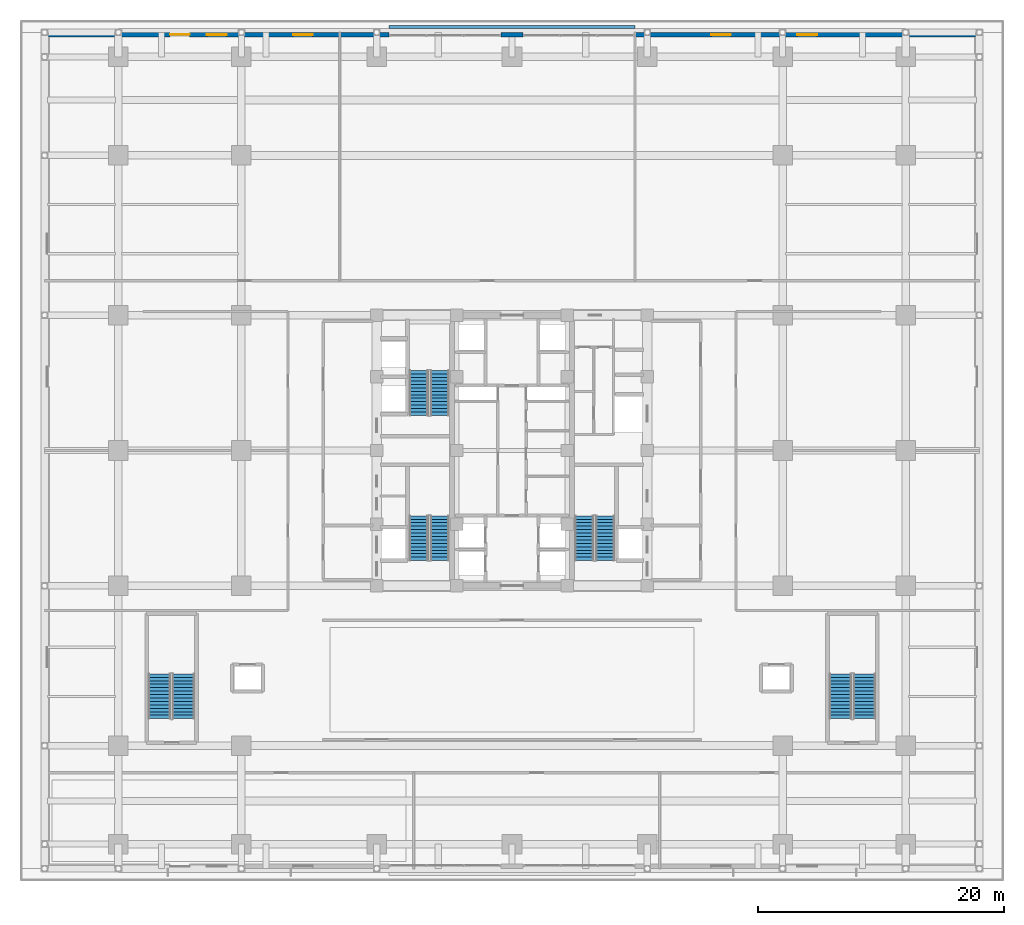
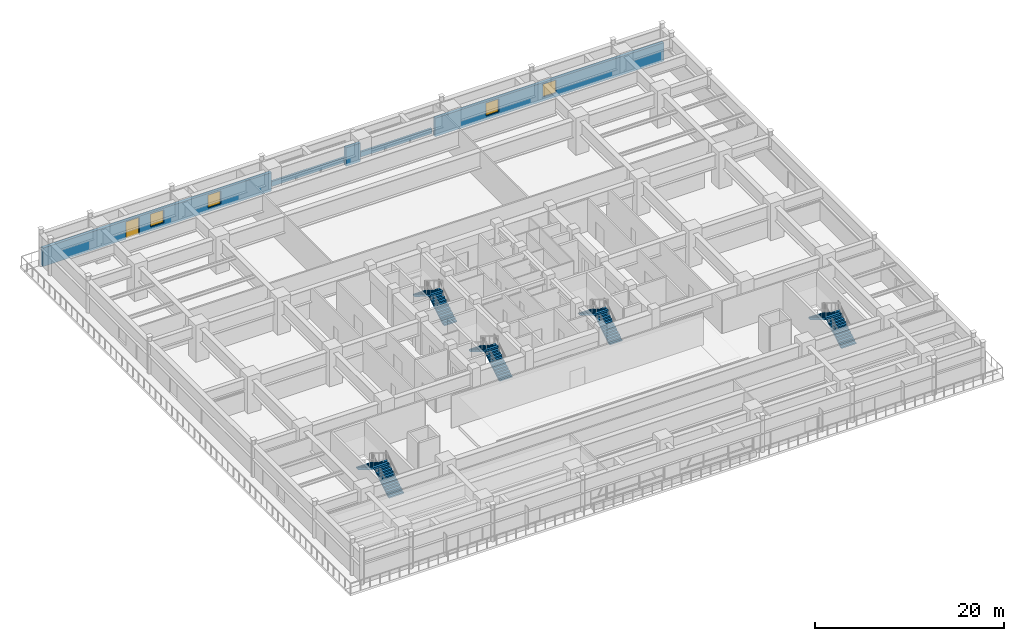
# One storey, part 28 of 35: 10 stair flights, 4 walls, 4 windows, 1 door, 5 openings, 5 elements without a shape of their own.
"""IFC4 building model written with IfcOpenShell, lengths in metres."""

from ifc_helpers import new_model, si_unit, direction, frame, frame_2d, origin, place, context, subcontext, project, spatial, polyline, rectangle, outline, extrude, source, transform, mapped, material, layer, layer_set, type_object, element, fill, aggregate, save


model = new_model("IFC4")

# Units and contexts
model_context = context("Model", 3, precision=1e-05, world=origin(), true_north=direction((0.0, 1.0)))
body_context = subcontext(model_context, "Body", "Model", "MODEL_VIEW")
ifc_project = project(units=[si_unit("LENGTHUNIT", "METRE"), si_unit("AREAUNIT", "SQUARE_METRE"), si_unit("VOLUMEUNIT", "CUBIC_METRE"), si_unit("PLANEANGLEUNIT", "RADIAN"), si_unit("MASSUNIT", "GRAM", prefix="KILO")], contexts=[model_context])

# Site, building, storey
site_placement = place(None, origin())
site = spatial("IfcSite", under=ifc_project, at=site_placement, CompositionType="ELEMENT")
building_placement = place(site_placement, origin())
building = spatial("IfcBuilding", under=site, at=building_placement, Name="Khorayat Bourse Tower", CompositionType="ELEMENT")
storey_placement = place(building_placement, frame((0.0, 0.0, 22.199951171875)))
storey = spatial("IfcBuildingStorey", under=building, at=storey_placement, Name="L04", CompositionType="ELEMENT", Elevation=22.199951171875)

# Wall
ifc_material_1 = material(Name="Precast concrete C45/55", Category="concrete")
ifc_layer_1 = layer(ifc_material_1, 0.239990234375)
ifc_layer_set_1 = layer_set([ifc_layer_1], Name="Precast concrete C45/55")
wall_type_1 = type_object("IfcWallType", Name="WAL-PLANTER-240", PredefinedType="STANDARD", material=ifc_layer_set_1)
shared_shape_1 = source(origin(), body_context, "Body", "SweptSolid", [
    extrude(rectangle(XDim=20.0, YDim=0.239990234375, at=frame_2d((10.0, 0.0))), origin(), (0.0, 0.0, 1.0), 0.650146484375),
])
wall_1_placement = place(storey_placement, frame((-10.0, 34.429931640625, 0.0), z_axis=(0.0, 0.0, 1.0), x_axis=(1.0, 0.0, 0.0)))
element("IfcWall", 1, at=wall_1_placement, inside=storey, type_object=wall_type_1, Name="L04 Planted Terrace Upstand PLN-N", PredefinedType="STANDARD", context=body_context, shape_type="MappedRepresentation", body=[
    mapped(shared_shape_1, transform((0.0, 0.0, 0.0), scale=1.0)),
])

# Wall, openings, door, windows
ifc_layer_2 = layer(ifc_material_1, 0.3798828125)
ifc_layer_set_2 = layer_set([ifc_layer_2], Name="Precast concrete C45/55")
wall_type_2 = type_object("IfcWallType", Name="WAL-EXT-STONE-380", PredefinedType="STANDARD", material=ifc_layer_set_2)
shared_shape_2 = source(origin(), body_context, "Body", "SweptSolid", [
    extrude(rectangle(XDim=28.0, YDim=0.3798828125, at=frame_2d((14.0, 0.0))), origin(), (0.0, 0.0, 1.0), 2.400146484375),
])
wall_2_placement = place(storey_placement, frame((-38.0, 33.81005859375, 0.0), z_axis=(0.0, 0.0, 1.0), x_axis=(1.0, 0.0, 0.0)))
wall_2 = element("IfcWall", 2, at=wall_2_placement, inside=storey, type_object=wall_type_2, Name="L04 Exterior Limestone Wall WAL-L04-EXT-NW", PredefinedType="STANDARD", context=body_context, shape_type="MappedRepresentation", body=[
    mapped(shared_shape_2, transform((0.0, 0.0, 0.0), scale=1.0)),
])
shared_shape_3 = source(origin(), body_context, "Body", "SweptSolid", [
    extrude(rectangle(XDim=1.60009765625, YDim=2.25, at=frame_2d((0.800048828125, 1.125))), frame((0.0, 0.199951171875, 0.0), z_axis=(0.0, -1.0, 0.0), x_axis=(1.0, 0.0, 0.0)), (0.0, 0.0, 1.0), 0.39990234375),
])
opening_1_placement = place(wall_2_placement, frame((10.199951171875, 0.0, 0.0)))
opening_1 = element("IfcOpeningElement", 3, at=opening_1_placement, cuts=wall_2, Name="Opening DE-04", PredefinedType="OPENING", context=body_context, shape_type="MappedRepresentation", body=[
    mapped(shared_shape_3, transform((0.0, 0.0, 0.0), scale=1.0)),
])
shared_shape_4 = source(origin(), body_context, "Body", "SweptSolid", [
    extrude(rectangle(XDim=1.60009765625, YDim=1.679931640625, at=frame_2d((0.800048828125, 0.83984375))), frame((0.0, 0.199951171875, 0.0), z_axis=(0.0, -1.0, 0.0), x_axis=(1.0, 0.0, 0.0)), (0.0, 0.0, 1.0), 0.39990234375),
])
opening_2_placement = place(wall_2_placement, frame((13.199951171875, 0.0, 0.5)))
opening_2 = element("IfcOpeningElement", 4, at=opening_2_placement, cuts=wall_2, Name="Opening WN-02", PredefinedType="OPENING", context=body_context, shape_type="MappedRepresentation", body=[
    mapped(shared_shape_4, transform((0.0, 0.0, 0.0), scale=1.0)),
])
opening_3_placement = place(wall_2_placement, frame((20.199951171875, 0.0, 0.5)))
opening_3 = element("IfcOpeningElement", 5, at=opening_3_placement, cuts=wall_2, Name="Opening WN-02", PredefinedType="OPENING", context=body_context, shape_type="MappedRepresentation", body=[
    mapped(shared_shape_4, transform((0.0, 0.0, 0.0), scale=1.0)),
])
ifc_material_2 = material(Name="Thermally broken aluminium terrace double door", Category="aluminium")
door_type = type_object("IfcDoorType", Name="DR-EXT-TERR-1600", OperationType="NOTDEFINED", PredefinedType="DOOR", material=ifc_material_2)
shared_shape_5 = source(origin(), body_context, "Body", "SweptSolid", [
    extrude(rectangle(XDim=1.60009765625, YDim=2.25, at=frame_2d((0.800048828125, 1.125))), frame((0.0, 0.02490234375, 0.0), z_axis=(0.0, -1.0, 0.0), x_axis=(1.0, 0.0, 0.0)), (0.0, 0.0, 1.0), 0.050048828125),
])
door_placement = place(opening_1_placement, origin())
door = element("IfcDoor", 6, at=door_placement, inside=storey, type_object=door_type, Name="L04 North Garden Terrace Door", OperationType="DOUBLE_DOOR_SINGLE_SWING", OverallHeight=2.25, OverallWidth=1.60009765625, PredefinedType="DOOR", context=body_context, shape_type="MappedRepresentation", body=[
    mapped(shared_shape_5, transform((0.0, 0.0, 0.0), scale=1.0)),
])
fill(opening_1, door)
ifc_material_3 = material(Name="Low-E solar-control laminated double glazing", Category="glass")
window_type = type_object("IfcWindowType", Name="WIN-POD-1600x2200", PartitioningType="SINGLE_PANEL", PredefinedType="WINDOW", material=ifc_material_3)
shared_shape_6 = source(origin(), body_context, "Body", "SweptSolid", [
    extrude(rectangle(XDim=1.60009765625, YDim=1.679931640625, at=frame_2d((0.800048828125, 0.83984375))), frame((0.0, 0.030029296875, 0.0), z_axis=(0.0, -1.0, 0.0), x_axis=(1.0, 0.0, 0.0)), (0.0, 0.0, 1.0), 0.06005859375),
])
window_1_placement = place(opening_2_placement, origin())
window_1 = element("IfcWindow", 7, at=window_1_placement, inside=storey, type_object=window_type, Name="L04 Facade Window 2", OverallHeight=1.679931640625, OverallWidth=1.60009765625, PartitioningType="SINGLE_PANEL", PredefinedType="WINDOW", context=body_context, shape_type="MappedRepresentation", body=[
    mapped(shared_shape_6, transform((0.0, 0.0, 0.0), scale=1.0)),
])
fill(opening_2, window_1)
window_2_placement = place(opening_3_placement, origin())
window_2 = element("IfcWindow", 8, at=window_2_placement, inside=storey, type_object=window_type, Name="L04 Facade Window 3", OverallHeight=1.679931640625, OverallWidth=1.60009765625, PartitioningType="SINGLE_PANEL", PredefinedType="WINDOW", context=body_context, shape_type="MappedRepresentation", body=[
    mapped(shared_shape_6, transform((0.0, 0.0, 0.0), scale=1.0)),
])
fill(opening_3, window_2)

# Wall, openings, windows
wall_3_placement = place(storey_placement, frame((10.0, 33.81005859375, 0.0), z_axis=(0.0, 0.0, 1.0), x_axis=(1.0, 0.0, 0.0)))
wall_3 = element("IfcWall", 9, at=wall_3_placement, inside=storey, type_object=wall_type_2, Name="L04 Exterior Limestone Wall WAL-L04-EXT-NE", PredefinedType="STANDARD", context=body_context, shape_type="MappedRepresentation", body=[
    mapped(shared_shape_2, transform((0.0, 0.0, 0.0), scale=1.0)),
])
opening_4_placement = place(wall_3_placement, frame((6.199951171875, 0.0, 0.5)))
opening_4 = element("IfcOpeningElement", 10, at=opening_4_placement, cuts=wall_3, Name="Opening WN-02", PredefinedType="OPENING", context=body_context, shape_type="MappedRepresentation", body=[
    mapped(shared_shape_4, transform((0.0, 0.0, 0.0), scale=1.0)),
])
opening_5_placement = place(wall_3_placement, frame((13.199951171875, 0.0, 0.5)))
opening_5 = element("IfcOpeningElement", 11, at=opening_5_placement, cuts=wall_3, Name="Opening WN-02", PredefinedType="OPENING", context=body_context, shape_type="MappedRepresentation", body=[
    mapped(shared_shape_4, transform((0.0, 0.0, 0.0), scale=1.0)),
])
window_3_placement = place(opening_4_placement, origin())
window_3 = element("IfcWindow", 12, at=window_3_placement, inside=storey, type_object=window_type, Name="L04 Facade Window 1", OverallHeight=1.679931640625, OverallWidth=1.60009765625, PartitioningType="SINGLE_PANEL", PredefinedType="WINDOW", context=body_context, shape_type="MappedRepresentation", body=[
    mapped(shared_shape_6, transform((0.0, 0.0, 0.0), scale=1.0)),
])
fill(opening_4, window_3)
window_4_placement = place(opening_5_placement, origin())
window_4 = element("IfcWindow", 13, at=window_4_placement, inside=storey, type_object=window_type, Name="L04 Facade Window 2", OverallHeight=1.679931640625, OverallWidth=1.60009765625, PartitioningType="SINGLE_PANEL", PredefinedType="WINDOW", context=body_context, shape_type="MappedRepresentation", body=[
    mapped(shared_shape_6, transform((0.0, 0.0, 0.0), scale=1.0)),
])
fill(opening_5, window_4)

# Wall
shared_shape_7 = source(origin(), body_context, "Body", "SweptSolid", [
    extrude(rectangle(XDim=1.7998046875, YDim=0.3798828125, at=frame_2d((0.89990234375, 0.0))), origin(), (0.0, 0.0, 1.0), 2.400146484375),
])
wall_4_placement = place(storey_placement, frame((-0.89990234375, 33.81005859375, 0.0), z_axis=(0.0, 0.0, 1.0), x_axis=(1.0, 0.0, 0.0)))
element("IfcWall", 14, at=wall_4_placement, inside=storey, type_object=wall_type_2, Name="L04 Exterior Limestone Wall WAL-L04-EXT-NM", PredefinedType="STANDARD", context=body_context, shape_type="MappedRepresentation", body=[
    mapped(shared_shape_7, transform((0.0, 0.0, 0.0), scale=1.0)),
])

# Stair, stair flights
ifc_material_4 = material(Name="Concrete C40/50", Category="concrete")
stair_type_1 = type_object("IfcStairType", Name="STR-CORE-1550", PredefinedType="HALF_TURN_STAIR", material=ifc_material_4)
stair_1_placement = place(storey_placement, origin())
stair_1 = element("IfcStair", 15, at=stair_1_placement, inside=storey, type_object=stair_type_1, Name="L04 Exit Stair ST-1", PredefinedType="HALF_TURN_STAIR")
stair_flight_type_1 = type_object("IfcStairFlightType", Name="FLT-CORE-1550", PredefinedType="STRAIGHT", material=ifc_material_4)
shared_shape_8 = source(origin(), body_context, "Body", "SweptSolid", [
    extrude(outline(polyline([(0.0, 0.0), (0.0, 0.17138671875), (0.280029296875, 0.17138671875), (0.280029296875, 0.3427734375), (0.56005859375, 0.3427734375), (0.56005859375, 0.514404296875), (0.840087890625, 0.514404296875), (0.840087890625, 0.685791015625), (1.1201171875, 0.685791015625), (1.1201171875, 0.857177734375), (1.39990234375, 0.857177734375), (1.39990234375, 1.028564453125), (1.679931640625, 1.028564453125), (1.679931640625, 1.199951171875), (1.9599609375, 1.199951171875), (1.9599609375, 1.371337890625), (2.239990234375, 1.371337890625), (2.239990234375, 1.54296875), (2.52001953125, 1.54296875), (2.52001953125, 1.71435546875), (2.800048828125, 1.71435546875), (2.800048828125, 1.8857421875), (3.080078125, 1.8857421875), (3.080078125, 2.05712890625), (3.360107421875, 2.05712890625), (3.360107421875, 2.228515625), (3.639892578125, 2.228515625), (3.639892578125, 2.39990234375), (3.639892578125, 2.017578125), (0.344482421875, 0.0), (0.0, 0.0)])), frame((0.0, 0.77490234375, 0.0), z_axis=(0.0, -1.0, 0.0), x_axis=(1.0, 0.0, 0.0)), (0.0, 0.0, 1.0), 1.550048828125),
])
stair_flight_1_placement = place(storey_placement, frame((-5.875, -8.949951171875, 0.0), z_axis=(0.0, 0.0, 1.0), x_axis=(0.0, 1.0, 0.0)))
stair_flight_1 = element("IfcStairFlight", 16, at=stair_flight_1_placement, type_object=stair_flight_type_1, Name="ST-1 flight 1", NumberOfRisers=14, NumberOfTreads=13, PredefinedType="STRAIGHT", RiserHeight=0.171428571, TreadLength=0.28, context=body_context, shape_type="MappedRepresentation", body=[
    mapped(shared_shape_8, transform((0.0, 0.0, 0.0), scale=1.0)),
])
stair_flight_2_placement = place(storey_placement, frame((-7.574951171875, -5.31005859375, 2.400146484375), z_axis=(0.0, 0.0, 1.0), x_axis=(0.0, -1.0, 0.0)))
stair_flight_2 = element("IfcStairFlight", 17, at=stair_flight_2_placement, type_object=stair_flight_type_1, Name="ST-1 flight 2", NumberOfRisers=14, NumberOfTreads=13, PredefinedType="STRAIGHT", RiserHeight=0.171428571, TreadLength=0.28, context=body_context, shape_type="MappedRepresentation", body=[
    mapped(shared_shape_8, transform((0.0, 0.0, 0.0), scale=1.0)),
])
aggregate(stair_1, [stair_flight_1, stair_flight_2])

stair_2_placement = place(storey_placement, origin())
stair_2 = element("IfcStair", 18, at=stair_2_placement, inside=storey, type_object=stair_type_1, Name="L04 Exit Stair ST-2", PredefinedType="HALF_TURN_STAIR")
stair_flight_3_placement = place(storey_placement, frame((-5.875, 2.85009765625, 0.0), z_axis=(0.0, 0.0, 1.0), x_axis=(0.0, 1.0, 0.0)))
stair_flight_3 = element("IfcStairFlight", 19, at=stair_flight_3_placement, type_object=stair_flight_type_1, Name="ST-2 flight 1", NumberOfRisers=14, NumberOfTreads=13, PredefinedType="STRAIGHT", RiserHeight=0.171428571, TreadLength=0.28, context=body_context, shape_type="MappedRepresentation", body=[
    mapped(shared_shape_8, transform((0.0, 0.0, 0.0), scale=1.0)),
])
stair_flight_4_placement = place(storey_placement, frame((-7.574951171875, 6.489990234375, 2.400146484375), z_axis=(0.0, 0.0, 1.0), x_axis=(0.0, -1.0, 0.0)))
stair_flight_4 = element("IfcStairFlight", 20, at=stair_flight_4_placement, type_object=stair_flight_type_1, Name="ST-2 flight 2", NumberOfRisers=14, NumberOfTreads=13, PredefinedType="STRAIGHT", RiserHeight=0.171428571, TreadLength=0.28, context=body_context, shape_type="MappedRepresentation", body=[
    mapped(shared_shape_8, transform((0.0, 0.0, 0.0), scale=1.0)),
])
aggregate(stair_2, [stair_flight_3, stair_flight_4])

stair_3_placement = place(storey_placement, origin())
stair_3 = element("IfcStair", 21, at=stair_3_placement, inside=storey, type_object=stair_type_1, Name="L04 Exit Stair ST-3", PredefinedType="HALF_TURN_STAIR")
stair_flight_5_placement = place(storey_placement, frame((7.574951171875, -8.949951171875, 0.0), z_axis=(0.0, 0.0, 1.0), x_axis=(0.0, 1.0, 0.0)))
stair_flight_5 = element("IfcStairFlight", 22, at=stair_flight_5_placement, type_object=stair_flight_type_1, Name="ST-3 flight 1", NumberOfRisers=14, NumberOfTreads=13, PredefinedType="STRAIGHT", RiserHeight=0.171428571, TreadLength=0.28, context=body_context, shape_type="MappedRepresentation", body=[
    mapped(shared_shape_8, transform((0.0, 0.0, 0.0), scale=1.0)),
])
stair_flight_6_placement = place(storey_placement, frame((5.875, -5.31005859375, 2.400146484375), z_axis=(0.0, 0.0, 1.0), x_axis=(0.0, -1.0, 0.0)))
stair_flight_6 = element("IfcStairFlight", 23, at=stair_flight_6_placement, type_object=stair_flight_type_1, Name="ST-3 flight 2", NumberOfRisers=14, NumberOfTreads=13, PredefinedType="STRAIGHT", RiserHeight=0.171428571, TreadLength=0.28, context=body_context, shape_type="MappedRepresentation", body=[
    mapped(shared_shape_8, transform((0.0, 0.0, 0.0), scale=1.0)),
])
aggregate(stair_3, [stair_flight_5, stair_flight_6])

stair_type_2 = type_object("IfcStairType", Name="STR-POD-1800", PredefinedType="HALF_TURN_STAIR", material=ifc_material_4)
stair_4_placement = place(storey_placement, origin())
stair_4 = element("IfcStair", 24, at=stair_4_placement, inside=storey, type_object=stair_type_2, Name="L04 Exit Stair ST-P1", PredefinedType="HALF_TURN_STAIR")
stair_flight_type_2 = type_object("IfcStairFlightType", Name="FLT-POD-1800", PredefinedType="STRAIGHT", material=ifc_material_4)
shared_shape_9 = source(origin(), body_context, "Body", "SweptSolid", [
    extrude(outline(polyline([(0.0, 0.0), (0.0, 0.17138671875), (0.280029296875, 0.17138671875), (0.280029296875, 0.3427734375), (0.56005859375, 0.3427734375), (0.56005859375, 0.514404296875), (0.840087890625, 0.514404296875), (0.840087890625, 0.685791015625), (1.1201171875, 0.685791015625), (1.1201171875, 0.857177734375), (1.39990234375, 0.857177734375), (1.39990234375, 1.028564453125), (1.679931640625, 1.028564453125), (1.679931640625, 1.199951171875), (1.9599609375, 1.199951171875), (1.9599609375, 1.371337890625), (2.239990234375, 1.371337890625), (2.239990234375, 1.54296875), (2.52001953125, 1.54296875), (2.52001953125, 1.71435546875), (2.800048828125, 1.71435546875), (2.800048828125, 1.8857421875), (3.080078125, 1.8857421875), (3.080078125, 2.05712890625), (3.360107421875, 2.05712890625), (3.360107421875, 2.228515625), (3.639892578125, 2.228515625), (3.639892578125, 2.39990234375), (3.639892578125, 1.994140625), (0.383056640625, 0.0), (0.0, 0.0)])), frame((0.0, 0.89990234375, 0.0), z_axis=(0.0, -1.0, 0.0), x_axis=(1.0, 0.0, 0.0)), (0.0, 0.0, 1.0), 1.800048828125),
])
stair_flight_7_placement = place(storey_placement, frame((-26.699951171875, -21.800048828125, 0.0), z_axis=(0.0, 0.0, 1.0), x_axis=(0.0, 1.0, 0.0)))
stair_flight_7 = element("IfcStairFlight", 25, at=stair_flight_7_placement, type_object=stair_flight_type_2, Name="ST-P1 flight 1", NumberOfRisers=14, NumberOfTreads=13, PredefinedType="STRAIGHT", RiserHeight=0.171428571, TreadLength=0.28, context=body_context, shape_type="MappedRepresentation", body=[
    mapped(shared_shape_9, transform((0.0, 0.0, 0.0), scale=1.0)),
])
stair_flight_8_placement = place(storey_placement, frame((-28.64990234375, -18.159912109375, 2.400146484375), z_axis=(0.0, 0.0, 1.0), x_axis=(0.0, -1.0, 0.0)))
stair_flight_8 = element("IfcStairFlight", 26, at=stair_flight_8_placement, type_object=stair_flight_type_2, Name="ST-P1 flight 2", NumberOfRisers=14, NumberOfTreads=13, PredefinedType="STRAIGHT", RiserHeight=0.171428571, TreadLength=0.28, context=body_context, shape_type="MappedRepresentation", body=[
    mapped(shared_shape_9, transform((0.0, 0.0, 0.0), scale=1.0)),
])
aggregate(stair_4, [stair_flight_7, stair_flight_8])

stair_5_placement = place(storey_placement, origin())
stair_5 = element("IfcStair", 27, at=stair_5_placement, inside=storey, type_object=stair_type_2, Name="L04 Exit Stair ST-P2", PredefinedType="HALF_TURN_STAIR")
stair_flight_9_placement = place(storey_placement, frame((28.64990234375, -21.800048828125, 0.0), z_axis=(0.0, 0.0, 1.0), x_axis=(0.0, 1.0, 0.0)))
stair_flight_9 = element("IfcStairFlight", 28, at=stair_flight_9_placement, type_object=stair_flight_type_2, Name="ST-P2 flight 1", NumberOfRisers=14, NumberOfTreads=13, PredefinedType="STRAIGHT", RiserHeight=0.171428571, TreadLength=0.28, context=body_context, shape_type="MappedRepresentation", body=[
    mapped(shared_shape_9, transform((0.0, 0.0, 0.0), scale=1.0)),
])
stair_flight_10_placement = place(storey_placement, frame((26.699951171875, -18.159912109375, 2.400146484375), z_axis=(0.0, 0.0, 1.0), x_axis=(0.0, -1.0, 0.0)))
stair_flight_10 = element("IfcStairFlight", 29, at=stair_flight_10_placement, type_object=stair_flight_type_2, Name="ST-P2 flight 2", NumberOfRisers=14, NumberOfTreads=13, PredefinedType="STRAIGHT", RiserHeight=0.171428571, TreadLength=0.28, context=body_context, shape_type="MappedRepresentation", body=[
    mapped(shared_shape_9, transform((0.0, 0.0, 0.0), scale=1.0)),
])
aggregate(stair_5, [stair_flight_9, stair_flight_10])

save(model, "model.ifc")
